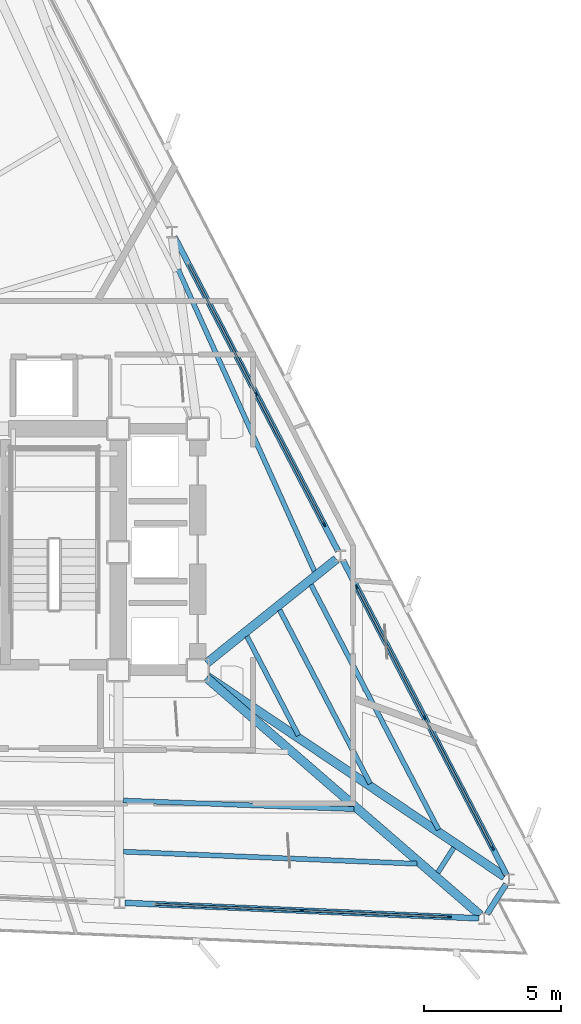
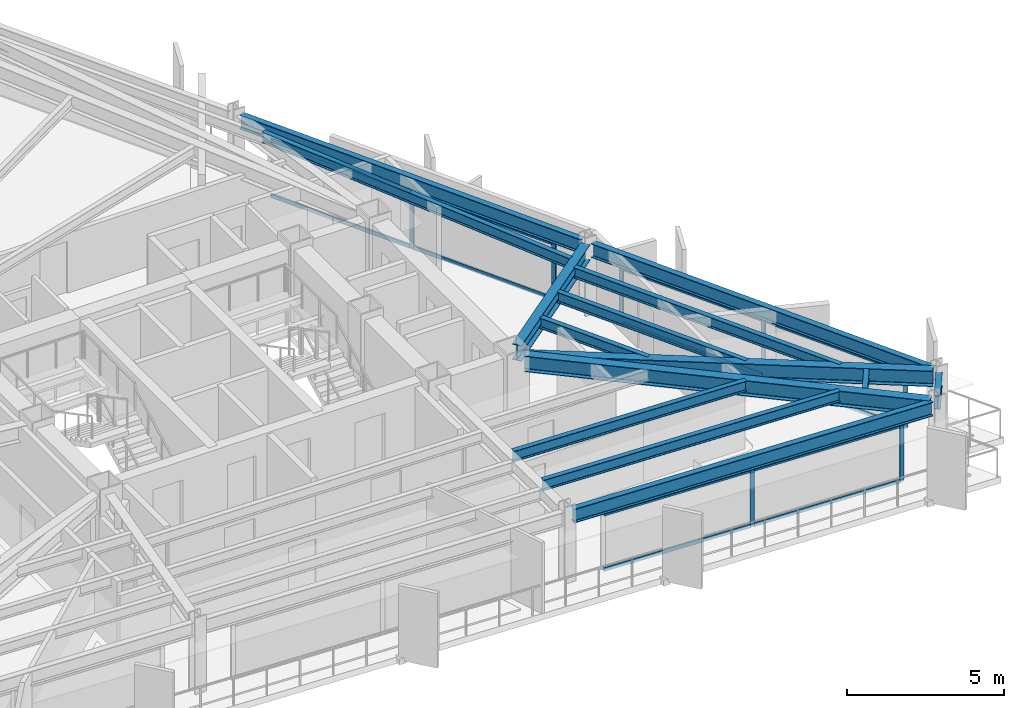
# One storey, part 5 of 12: 19 members, 14 beams, 3 elements without a shape of their own.
"""IFC4 building model written with IfcOpenShell, lengths in metres."""

import ifcopenshell
import ifcopenshell.guid

model = None  # the IFC model being written
_history = None  # IfcOwnerHistory: only IFC2X3 demands one
_inside = {}  # id of a spatial element -> (the spatial element, [elements in it])
_under = {}  # id of a project, library or spatial element -> (it, [spatial elements below it])
_declared = {}  # id of a project -> (the project, [libraries it declares])
_typed = {}  # id of a type object -> (the type object, [elements of that type])
_made_of = {}  # id of a material, layer set ... -> (it, [elements and type objects made of it])


def new_model(schema):
    """Start an empty IFC model of exactly this schema.

    Asked for "IFC4X3", IfcOpenShell would pick the latest addendum, in which some entities
    have other attributes; the version numbers below select the first issue.
    IFC2X3 requires an IfcOwnerHistory on every rooted entity: one is made here for all.
    """
    global model, _history
    if schema == "IFC4X3":
        model = ifcopenshell.file(schema_version=(4, 3, 0, 0))
    else:
        model = ifcopenshell.file(schema=schema)
    _inside.clear()
    _under.clear()
    _declared.clear()
    _typed.clear()
    _made_of.clear()
    _history = None
    if model.schema == "IFC2X3":
        org = make("IfcOrganization", Name="unknown")
        user = make(
            "IfcPersonAndOrganization",
            ThePerson=make("IfcPerson", FamilyName="unknown"),
            TheOrganization=org,
        )
        app = make(
            "IfcApplication",
            ApplicationDeveloper=org,
            Version="unknown",
            ApplicationFullName="unknown",
            ApplicationIdentifier="unknown",
        )
        _history = make(
            "IfcOwnerHistory",
            OwningUser=user,
            OwningApplication=app,
            ChangeAction="ADDED",
            CreationDate=0,
        )
    return model


def make(cls, **values):
    """One entity of the class cls with the attributes given. An attribute that is None is left unset."""
    return model.create_entity(
        cls, **{name: value for name, value in values.items() if value is not None}
    )


def rooted(cls, **values):
    """An entity with a GlobalId (a new one), such as an element, a storey or a relation."""
    return make(cls, GlobalId=ifcopenshell.guid.new(), OwnerHistory=_history, **values)


def si_unit(unit_type, name, prefix=None):
    """IfcSIUnit, for example si_unit("LENGTHUNIT", "METRE", prefix="MILLI")."""
    return make("IfcSIUnit", UnitType=unit_type, Prefix=prefix, Name=name)


def assignment(units):
    """IfcUnitAssignment: the units of a project."""
    return None if units is None else make("IfcUnitAssignment", Units=units)


def point(xyz):
    """IfcCartesianPoint."""
    return None if xyz is None else make("IfcCartesianPoint", Coordinates=xyz)


def direction(xyz):
    """IfcDirection."""
    return None if xyz is None else make("IfcDirection", DirectionRatios=xyz)


def frame(location, z_axis=None, x_axis=None):
    """IfcAxis2Placement3D, a coordinate frame: its origin and axes. An axis left out is left unset."""
    return make(
        "IfcAxis2Placement3D",
        Location=point(location),
        Axis=direction(z_axis),
        RefDirection=direction(x_axis),
    )


def frame_2d(location, x_axis=None):
    """IfcAxis2Placement2D, a coordinate frame in the plane: its origin and x axis."""
    return make(
        "IfcAxis2Placement2D", Location=point(location), RefDirection=direction(x_axis)
    )


def origin():
    """The frame at (0, 0, 0) with its axes left unset."""
    return frame((0.0, 0.0, 0.0))


def origin_2d():
    """The frame at (0, 0) in the plane with its x axis left unset."""
    return frame_2d((0.0, 0.0))


def place(relative_to, where):
    """IfcLocalPlacement: puts the frame where relative to a parent placement (None: the world)."""
    return make(
        "IfcLocalPlacement", PlacementRelTo=relative_to, RelativePlacement=where
    )


def context(
    kind, dimensions, precision=None, world=None, true_north=None, identifier=None
):
    """IfcGeometricRepresentationContext, for example the 3D "Model" context."""
    return make(
        "IfcGeometricRepresentationContext",
        ContextIdentifier=identifier,
        ContextType=kind,
        CoordinateSpaceDimension=dimensions,
        Precision=precision,
        WorldCoordinateSystem=world,
        TrueNorth=true_north,
    )


def subcontext(parent, identifier, kind, view, scale=None):
    """IfcGeometricRepresentationSubContext, for example "Body" below "Model"."""
    return make(
        "IfcGeometricRepresentationSubContext",
        ContextIdentifier=identifier,
        ContextType=kind,
        ParentContext=parent,
        TargetScale=scale,
        TargetView=view,
    )


def project(units=None, contexts=None):
    """IfcProject with its units and contexts."""
    return rooted(
        "IfcProject",
        Name="project",
        RepresentationContexts=contexts,
        UnitsInContext=assignment(units),
    )


def spatial(cls, under=None, at=None, **own):
    """A site, building, storey or space (cls), placed at a placement, below another one or the project."""
    s = rooted(cls, ObjectPlacement=at, **own)
    if under is not None:
        _under.setdefault(under.id(), (under, []))[1].append(s)
    return s


def profile(cls, at=None, kind="AREA", **sizes):
    """A parametric profile (cls). Its sizes go by their IFC names, for example OverallWidth=200.0."""
    return make(cls, ProfileType=kind, Position=at, **sizes)


def rectangle(**sizes):
    """IfcRectangleProfileDef."""
    return profile("IfcRectangleProfileDef", **sizes)


def i_section(**sizes):
    """IfcIShapeProfileDef."""
    return profile("IfcIShapeProfileDef", **sizes)


def extrude(swept, where, along, depth):
    """IfcExtrudedAreaSolid: the profile swept, set in the frame where, extruded along a direction by depth."""
    return make(
        "IfcExtrudedAreaSolid",
        SweptArea=swept,
        Position=where,
        ExtrudedDirection=direction(along),
        Depth=depth,
    )


def shape(context_of_items, identifier, shape_type, items):
    """IfcShapeRepresentation: the items that make up one representation, for example the "Body"."""
    return make(
        "IfcShapeRepresentation",
        ContextOfItems=context_of_items,
        RepresentationIdentifier=identifier,
        RepresentationType=shape_type,
        Items=items,
    )


def material(Name=None, Category=None):
    """IfcMaterial."""
    return make("IfcMaterial", Name=Name, Category=Category)


def layer(
    of_material, thickness, ventilated=None, Name=None, Category=None, Priority=None
):
    """IfcMaterialLayer: one layer of a wall or slab, of a material (None: an air gap)."""
    return make(
        "IfcMaterialLayer",
        Material=of_material,
        LayerThickness=thickness,
        IsVentilated=ventilated,
        Name=Name,
        Category=Category,
        Priority=Priority,
    )


def layer_set(layers, Name=None):
    """IfcMaterialLayerSet."""
    return make("IfcMaterialLayerSet", MaterialLayers=layers, LayerSetName=Name)


def material_profile(
    of_material, cross_section, Name=None, Category=None, Priority=None
):
    """IfcMaterialProfile: a cross section and its material."""
    return make(
        "IfcMaterialProfile",
        Name=Name,
        Material=of_material,
        Profile=cross_section,
        Priority=Priority,
        Category=Category,
    )


def profile_set(profiles, Name=None, composite=None):
    """IfcMaterialProfileSet."""
    return make(
        "IfcMaterialProfileSet",
        Name=Name,
        MaterialProfiles=profiles,
        CompositeProfile=composite,
    )


def made_of(thing, what):
    """Note that an element or type object is made of a material, layer set ...; save() writes the relation."""
    if what is not None:
        _made_of.setdefault(what.id(), (what, []))[1].append(thing)
    return thing


def type_object(cls, material=None, **own):
    """A type object (cls), such as IfcWallType, which elements share."""
    return made_of(rooted(cls, **own), material)


def element(
    cls,
    number,
    at=None,
    inside=None,
    cuts=None,
    type_object=None,
    material=None,
    context=None,
    identifier="Body",
    shape_type=None,
    held_by="IfcProductDefinitionShape",
    body=None,
    shapes=None,
    **own,
):
    """One element of the class cls, such as IfcWall. Its Tag is "e" and its number.

    at: its placement. inside: the storey or other place that contains it. cuts: it is an
    opening in that element (IfcRelVoidsElement). A single representation is given by context,
    identifier, shape_type and body (its items); several are given by shapes. held_by: the class
    of the entity that holds the representations. save() writes the other relations.
    """
    e = rooted(cls, Tag="e%d" % number, ObjectPlacement=at, **own)
    if body is not None:
        shapes = [shape(context, identifier, shape_type, body)]
    if shapes is not None:
        e.Representation = make(held_by, Representations=shapes)
    if inside is not None:
        _inside.setdefault(inside.id(), (inside, []))[1].append(e)
    if cuts is not None:
        rooted(
            "IfcRelVoidsElement", RelatingBuildingElement=cuts, RelatedOpeningElement=e
        )
    if type_object is not None:
        _typed.setdefault(type_object.id(), (type_object, []))[1].append(e)
    return made_of(e, material)


def aggregate(whole, parts):
    """IfcRelAggregates: a whole, such as a stair, and the parts it consists of."""
    return rooted("IfcRelAggregates", RelatingObject=whole, RelatedObjects=parts)


def save(model, path):
    """Write the relations noted so far, then the file.

    IfcRelAggregates (storeys below a building ...), IfcRelContainedInSpatialStructure (elements
    in a storey), IfcRelDefinesByType, IfcRelAssociatesMaterial and IfcRelDeclares: one each for
    every whole, place, type object, material and project.
    """
    for whole, parts in _under.values():
        aggregate(whole, parts)
    for where, things in _inside.values():
        rooted(
            "IfcRelContainedInSpatialStructure",
            RelatedElements=things,
            RelatingStructure=where,
        )
    for kind, things in _typed.values():
        rooted("IfcRelDefinesByType", RelatedObjects=things, RelatingType=kind)
    for what, things in _made_of.values():
        rooted("IfcRelAssociatesMaterial", RelatedObjects=things, RelatingMaterial=what)
    for by, libraries in _declared.values():
        rooted("IfcRelDeclares", RelatingContext=by, RelatedDefinitions=libraries)
    model.write(path)


model = new_model("IFC4")

# Units and contexts
model_context = context("Model", 3, precision=1e-05, world=origin(), true_north=direction((0.0, 1.0)))
body_context = subcontext(model_context, "Body", "Model", "MODEL_VIEW")
ifc_project = project(units=[si_unit("LENGTHUNIT", "METRE"), si_unit("AREAUNIT", "SQUARE_METRE"), si_unit("VOLUMEUNIT", "CUBIC_METRE"), si_unit("PLANEANGLEUNIT", "RADIAN"), si_unit("MASSUNIT", "GRAM", prefix="KILO")], contexts=[model_context])

# Site, building, storey
site_placement = place(None, origin())
site = spatial("IfcSite", under=ifc_project, at=site_placement, CompositionType="ELEMENT")
building_placement = place(site_placement, origin())
building = spatial("IfcBuilding", under=site, at=building_placement, Name="Rocaltana Carrier Exchange", CompositionType="ELEMENT")
storey_placement = place(building_placement, frame((0.0, 0.0, 135.0400390625)))
storey = spatial("IfcBuildingStorey", under=building, at=storey_placement, Name="L42", CompositionType="ELEMENT", Elevation=135.0400390625)

# Curtain wall, members
ifc_material_1 = material(Name="Aluminium 6063-T6", Category="aluminium")
ifc_layer = layer(ifc_material_1, 0.14990234375)
ifc_layer_set = layer_set([ifc_layer], Name="Aluminium 6063-T6")
curtain_wall_type = type_object("IfcCurtainWallType", Name="Mid-Tower Unitised Curtain Wall CW-03", PredefinedType="NOTDEFINED", material=ifc_layer_set)
curtain_wall_1_placement = place(storey_placement, origin())
curtain_wall_1 = element("IfcCurtainWall", 1, at=curtain_wall_1_placement, inside=storey, type_object=curtain_wall_type, Name="L42 CW-03 Run CW-L42-F1S1", PredefinedType="NOTDEFINED")
ifc_material_2 = material(Name="Aluminium 6063-T6", Category="aluminium")
ifc_material_profile_1 = material_profile(ifc_material_2, rectangle(XDim=0.06005859375, YDim=0.14990234375, at=origin_2d()), Name="AL-60X150")
ifc_profile_set_1 = profile_set([ifc_material_profile_1], Name="Aluminium 6063-T6")
member_type_1 = type_object("IfcMemberType", Name="CW-03 Mullion AL-60X150", PredefinedType="MULLION", material=ifc_profile_set_1)
member_1_placement = place(storey_placement, frame((19.700439453125, -10.792724609375, 0.0), z_axis=(0.0, 0.0, 1.0), x_axis=(-0.887009929614, -0.461750348962, 0.0)))
member_1 = element("IfcMember", 2, at=member_1_placement, type_object=member_type_1, Name="CW-03 mullion 1", PredefinedType="MULLION", context=body_context, shape_type="SweptSolid", body=[
    extrude(rectangle(XDim=0.06005859375, YDim=0.14990234375, at=origin_2d()), origin(), (0.0, 0.0, 1.0), 2.218017578125),
])
member_2_placement = place(storey_placement, frame((17.220947265625, -6.029541015625, 0.0), z_axis=(0.0, 0.0, 1.0), x_axis=(-0.887009929614, -0.461750348962, 0.0)))
member_2 = element("IfcMember", 3, at=member_2_placement, type_object=member_type_1, Name="CW-03 mullion 2", PredefinedType="MULLION", context=body_context, shape_type="SweptSolid", body=[
    extrude(rectangle(XDim=0.06005859375, YDim=0.14990234375, at=origin_2d()), origin(), (0.0, 0.0, 1.0), 2.218017578125),
])
member_3_placement = place(storey_placement, frame((14.7412109375, -1.266357421875, 0.0), z_axis=(0.0, 0.0, 1.0), x_axis=(-0.887009929614, -0.461750348962, 0.0)))
member_3 = element("IfcMember", 4, at=member_3_placement, type_object=member_type_1, Name="CW-03 mullion 3", PredefinedType="MULLION", context=body_context, shape_type="SweptSolid", body=[
    extrude(rectangle(XDim=0.06005859375, YDim=0.14990234375, at=origin_2d()), origin(), (0.0, 0.0, 1.0), 2.218017578125),
])

curtain_wall_2_placement = place(storey_placement, origin())
curtain_wall_2 = element("IfcCurtainWall", 5, at=curtain_wall_2_placement, inside=storey, type_object=curtain_wall_type, Name="L42 CW-03 Run CW-L42-F1S2", PredefinedType="NOTDEFINED")
member_4_placement = place(storey_placement, frame((13.55908203125, 1.00439453125, 0.0), z_axis=(0.0, 0.0, 1.0), x_axis=(-0.887011747812, -0.461746856235, 0.0)))
member_4 = element("IfcMember", 6, at=member_4_placement, type_object=member_type_1, Name="CW-03 mullion 1", PredefinedType="MULLION", context=body_context, shape_type="SweptSolid", body=[
    extrude(rectangle(XDim=0.06005859375, YDim=0.14990234375, at=origin_2d()), origin(), (0.0, 0.0, 1.0), 2.218017578125),
])
member_5_placement = place(storey_placement, frame((11.07958984375, 5.767578125, 0.0), z_axis=(0.0, 0.0, 1.0), x_axis=(-0.887011747812, -0.461746856235, 0.0)))
member_5 = element("IfcMember", 7, at=member_5_placement, type_object=member_type_1, Name="CW-03 mullion 2", PredefinedType="MULLION", context=body_context, shape_type="SweptSolid", body=[
    extrude(rectangle(XDim=0.06005859375, YDim=0.14990234375, at=origin_2d()), origin(), (0.0, 0.0, 1.0), 2.218017578125),
])

curtain_wall_3_placement = place(storey_placement, origin())
curtain_wall_3 = element("IfcCurtainWall", 8, at=curtain_wall_3_placement, inside=storey, type_object=curtain_wall_type, Name="L42 CW-03 Run CW-L42-F3S3", PredefinedType="NOTDEFINED")
member_6_placement = place(storey_placement, frame((12.742431640625, -13.05908203125, 0.0), z_axis=(0.0, 0.0, 1.0), x_axis=(0.043629290456, 0.999047789154, 0.0)))
member_6 = element("IfcMember", 9, at=member_6_placement, type_object=member_type_1, Name="CW-03 mullion 2", PredefinedType="MULLION", context=body_context, shape_type="SweptSolid", body=[
    extrude(rectangle(XDim=0.06005859375, YDim=0.14990234375, at=origin_2d()), origin(), (0.0, 0.0, 1.0), 2.218017578125),
])
member_7_placement = place(storey_placement, frame((18.107421875, -13.29345703125, 0.0), z_axis=(0.0, 0.0, 1.0), x_axis=(0.043629290456, 0.999047789154, 0.0)))
member_7 = element("IfcMember", 10, at=member_7_placement, type_object=member_type_1, Name="CW-03 mullion 3", PredefinedType="MULLION", context=body_context, shape_type="SweptSolid", body=[
    extrude(rectangle(XDim=0.06005859375, YDim=0.14990234375, at=origin_2d()), origin(), (0.0, 0.0, 1.0), 2.218017578125),
])

# Member
ifc_material_3 = material(Name="Aluminium 6063-T6", Category="aluminium")
ifc_material_profile_2 = material_profile(ifc_material_3, rectangle(XDim=0.06005859375, YDim=0.14990234375, at=origin_2d()), Name="AL-60X150")
ifc_profile_set_2 = profile_set([ifc_material_profile_2], Name="Aluminium 6063-T6")
member_type_2 = type_object("IfcMemberType", Name="CW-03 Transom AL-60X150", PredefinedType="USERDEFINED", material=ifc_profile_set_2)
member_8_placement = place(storey_placement, frame((19.6865234375, -10.76611328125, 0.030029296875), z_axis=(-0.461756588365, 0.887006681543, 0.0), x_axis=(-0.887006681543, -0.461756588365, 0.0)))
member_8 = element("IfcMember", 11, at=member_8_placement, type_object=member_type_2, Name="CW-03 transom 1.1", ObjectType="TRANSOM", PredefinedType="USERDEFINED", context=body_context, shape_type="SweptSolid", body=[
    extrude(rectangle(XDim=0.06005859375, YDim=0.14990234375, at=origin_2d()), origin(), (0.0, 0.0, 1.0), 5.31005859375),
])

member_9_placement = place(storey_placement, frame((19.6865234375, -10.76611328125, 2.18798828125), z_axis=(-0.461756588365, 0.887006681543, 0.0), x_axis=(-0.887006681543, -0.461756588365, 0.0)))
member_9 = element("IfcMember", 12, at=member_9_placement, type_object=member_type_2, Name="CW-03 transom 1.2", ObjectType="TRANSOM", PredefinedType="USERDEFINED", context=body_context, shape_type="SweptSolid", body=[
    extrude(rectangle(XDim=0.06005859375, YDim=0.14990234375, at=origin_2d()), origin(), (0.0, 0.0, 1.0), 5.31005859375),
])

member_10_placement = place(storey_placement, frame((17.20703125, -6.0029296875, 0.030029296875), z_axis=(-0.461756588365, 0.887006681543, 0.0), x_axis=(-0.887006681543, -0.461756588365, 0.0)))
member_10 = element("IfcMember", 13, at=member_10_placement, type_object=member_type_2, Name="CW-03 transom 2.1", ObjectType="TRANSOM", PredefinedType="USERDEFINED", context=body_context, shape_type="SweptSolid", body=[
    extrude(rectangle(XDim=0.06005859375, YDim=0.14990234375, at=origin_2d()), origin(), (0.0, 0.0, 1.0), 5.31005859375),
])

member_11_placement = place(storey_placement, frame((17.20703125, -6.0029296875, 2.18798828125), z_axis=(-0.461756588365, 0.887006681543, 0.0), x_axis=(-0.887006681543, -0.461756588365, 0.0)))
member_11 = element("IfcMember", 14, at=member_11_placement, type_object=member_type_2, Name="CW-03 transom 2.2", ObjectType="TRANSOM", PredefinedType="USERDEFINED", context=body_context, shape_type="SweptSolid", body=[
    extrude(rectangle(XDim=0.06005859375, YDim=0.14990234375, at=origin_2d()), origin(), (0.0, 0.0, 1.0), 5.31005859375),
])

aggregate(curtain_wall_1, [member_1, member_2, member_3, member_8, member_9, member_10, member_11])

member_12_placement = place(storey_placement, frame((13.54541015625, 1.031005859375, 0.030029296875), z_axis=(-0.461737757324, 0.887016484323, 0.0), x_axis=(-0.887016484323, -0.461737757324, 0.0)))
member_12 = element("IfcMember", 15, at=member_12_placement, type_object=member_type_2, Name="CW-03 transom 1.1", ObjectType="TRANSOM", PredefinedType="USERDEFINED", context=body_context, shape_type="SweptSolid", body=[
    extrude(rectangle(XDim=0.06005859375, YDim=0.14990234375, at=origin_2d()), origin(), (0.0, 0.0, 1.0), 5.31005859375),
])

member_13_placement = place(storey_placement, frame((13.54541015625, 1.031005859375, 2.18798828125), z_axis=(-0.461737757324, 0.887016484323, 0.0), x_axis=(-0.887016484323, -0.461737757324, 0.0)))
member_13 = element("IfcMember", 16, at=member_13_placement, type_object=member_type_2, Name="CW-03 transom 1.2", ObjectType="TRANSOM", PredefinedType="USERDEFINED", context=body_context, shape_type="SweptSolid", body=[
    extrude(rectangle(XDim=0.06005859375, YDim=0.14990234375, at=origin_2d()), origin(), (0.0, 0.0, 1.0), 5.31005859375),
])

member_14_placement = place(storey_placement, frame((11.065673828125, 5.794189453125, 0.030029296875), z_axis=(-0.461701582275, 0.887035314362, 0.0), x_axis=(-0.887035314362, -0.461701582275, 0.0)))
member_14 = element("IfcMember", 17, at=member_14_placement, type_object=member_type_2, Name="CW-03 transom 2.1", ObjectType="TRANSOM", PredefinedType="USERDEFINED", context=body_context, shape_type="SweptSolid", body=[
    extrude(rectangle(XDim=0.06005859375, YDim=0.14990234375, at=origin_2d()), origin(), (0.0, 0.0, 1.0), 5.31005859375),
])

member_15_placement = place(storey_placement, frame((11.065673828125, 5.794189453125, 2.18798828125), z_axis=(-0.461701582275, 0.887035314362, 0.0), x_axis=(-0.887035314362, -0.461701582275, 0.0)))
member_15 = element("IfcMember", 18, at=member_15_placement, type_object=member_type_2, Name="CW-03 transom 2.2", ObjectType="TRANSOM", PredefinedType="USERDEFINED", context=body_context, shape_type="SweptSolid", body=[
    extrude(rectangle(XDim=0.06005859375, YDim=0.14990234375, at=origin_2d()), origin(), (0.0, 0.0, 1.0), 5.31005859375),
])

aggregate(curtain_wall_2, [member_4, member_5, member_12, member_13, member_14, member_15])

member_16_placement = place(storey_placement, frame((7.407470703125, -12.826171875, 0.030029296875), z_axis=(0.999047725225, -0.043630754314, 0.0), x_axis=(0.043630754314, 0.999047725225, 0.0)))
member_16 = element("IfcMember", 19, at=member_16_placement, type_object=member_type_2, Name="CW-03 transom 1.1", ObjectType="TRANSOM", PredefinedType="USERDEFINED", context=body_context, shape_type="SweptSolid", body=[
    extrude(rectangle(XDim=0.06005859375, YDim=0.14990234375, at=origin_2d()), origin(), (0.0, 0.0, 1.0), 5.310302734375),
])

member_17_placement = place(storey_placement, frame((7.407470703125, -12.826171875, 2.18798828125), z_axis=(0.999047725225, -0.043630754314, 0.0), x_axis=(0.043630754314, 0.999047725225, 0.0)))
member_17 = element("IfcMember", 20, at=member_17_placement, type_object=member_type_2, Name="CW-03 transom 1.2", ObjectType="TRANSOM", PredefinedType="USERDEFINED", context=body_context, shape_type="SweptSolid", body=[
    extrude(rectangle(XDim=0.06005859375, YDim=0.14990234375, at=origin_2d()), origin(), (0.0, 0.0, 1.0), 5.310302734375),
])

member_18_placement = place(storey_placement, frame((12.7724609375, -13.060546875, 0.030029296875), z_axis=(0.999047637698, -0.043632758442, 0.0), x_axis=(0.043632758442, 0.999047637698, 0.0)))
member_18 = element("IfcMember", 21, at=member_18_placement, type_object=member_type_2, Name="CW-03 transom 2.1", ObjectType="TRANSOM", PredefinedType="USERDEFINED", context=body_context, shape_type="SweptSolid", body=[
    extrude(rectangle(XDim=0.06005859375, YDim=0.14990234375, at=origin_2d()), origin(), (0.0, 0.0, 1.0), 5.31005859375),
])

member_19_placement = place(storey_placement, frame((12.7724609375, -13.060546875, 2.18798828125), z_axis=(0.999047637698, -0.043632758442, 0.0), x_axis=(0.043632758442, 0.999047637698, 0.0)))
member_19 = element("IfcMember", 22, at=member_19_placement, type_object=member_type_2, Name="CW-03 transom 2.2", ObjectType="TRANSOM", PredefinedType="USERDEFINED", context=body_context, shape_type="SweptSolid", body=[
    extrude(rectangle(XDim=0.06005859375, YDim=0.14990234375, at=origin_2d()), origin(), (0.0, 0.0, 1.0), 5.31005859375),
])

aggregate(curtain_wall_3, [member_6, member_7, member_16, member_17, member_18, member_19])

# Beams
ifc_material_4 = material(Name="Steel S355", Category="steel")
ifc_material_profile_3 = material_profile(ifc_material_4, i_section(OverallWidth=0.179931640625, OverallDepth=0.4130859375, WebThickness=0.009765625, FlangeThickness=0.01611328125, FilletRadius=0.012939453125, at=origin_2d()), Name="W16X50")
ifc_profile_set_3 = profile_set([ifc_material_profile_3], Name="Steel S355")
beam_type_1 = type_object("IfcBeamType", Name="Floor Joist W16X50", PredefinedType="JOIST", material=ifc_profile_set_3)
beam_1_placement = place(storey_placement, frame((12.62060546875, -6.678955078125, 2.58154296875), z_axis=(-0.461741088253, 0.887014750395, 0.0), x_axis=(-0.887014750395, -0.461741088253, 0.0)))
element("IfcBeam", 23, at=beam_1_placement, inside=storey, type_object=beam_type_1, Name="FJ-L42-01-1", PredefinedType="JOIST", context=body_context, shape_type="SweptSolid", body=[
    extrude(i_section(OverallWidth=0.179931640625, OverallDepth=0.4130859375, WebThickness=0.009765625, FlangeThickness=0.01611328125, FilletRadius=0.012939453125, at=origin_2d()), origin(), (0.0, 0.0, 1.0), 4.0771484375),
])
beam_2_placement = place(storey_placement, frame((15.229248046875, -8.433349609375, 2.58154296875), z_axis=(-0.461769572887, 0.886999921959, 0.0), x_axis=(-0.886999921959, -0.461769572887, 0.0)))
element("IfcBeam", 24, at=beam_2_placement, inside=storey, type_object=beam_type_1, Name="FJ-L42-01-2", PredefinedType="JOIST", context=body_context, shape_type="SweptSolid", body=[
    extrude(i_section(OverallWidth=0.179931640625, OverallDepth=0.4130859375, WebThickness=0.009765625, FlangeThickness=0.01611328125, FilletRadius=0.012939453125, at=origin_2d()), origin(), (0.0, 0.0, 1.0), 7.135986328125),
])
beam_3_placement = place(storey_placement, frame((17.724365234375, -10.111572265625, 2.58154296875), z_axis=(-0.461760646449, 0.88700456898, 0.0), x_axis=(-0.88700456898, -0.461760646449, 0.0)))
element("IfcBeam", 25, at=beam_3_placement, inside=storey, type_object=beam_type_1, Name="FJ-L42-01-3", PredefinedType="JOIST", context=body_context, shape_type="SweptSolid", body=[
    extrude(i_section(OverallWidth=0.179931640625, OverallDepth=0.4130859375, WebThickness=0.009765625, FlangeThickness=0.01611328125, FilletRadius=0.012939453125, at=origin_2d()), origin(), (0.0, 0.0, 1.0), 10.06201171875),
])
beam_4_placement = place(storey_placement, frame((13.201904296875, -0.697509765625, 2.58154296875), z_axis=(-0.41154987929, 0.911387237598, 0.0), x_axis=(-0.911387237598, -0.41154987929, 0.0)))
element("IfcBeam", 26, at=beam_4_placement, inside=storey, type_object=beam_type_1, Name="FJ-L42-02-3", PredefinedType="JOIST", context=body_context, shape_type="SweptSolid", body=[
    extrude(i_section(OverallWidth=0.179931640625, OverallDepth=0.4130859375, WebThickness=0.009765625, FlangeThickness=0.01611328125, FilletRadius=0.012939453125, at=origin_2d()), origin(), (0.0, 0.0, 1.0), 12.0732421875),
])
beam_5_placement = place(storey_placement, frame((6.233154296875, -9.048583984375, 2.58154296875), z_axis=(0.999306338381, -0.037240328574, 0.0), x_axis=(0.037240328574, 0.999306338381, 0.0)))
element("IfcBeam", 27, at=beam_5_placement, inside=storey, type_object=beam_type_1, Name="FJ-L42-11-2", PredefinedType="JOIST", context=body_context, shape_type="SweptSolid", body=[
    extrude(i_section(OverallWidth=0.179931640625, OverallDepth=0.4130859375, WebThickness=0.009765625, FlangeThickness=0.01611328125, FilletRadius=0.012939453125, at=origin_2d()), origin(), (0.0, 0.0, 1.0), 8.4111328125),
])
beam_6_placement = place(storey_placement, frame((6.243896484375, -10.912353515625, 2.58154296875), z_axis=(0.999155233616, -0.041095244719, 0.0), x_axis=(0.041095244719, 0.999155233616, 0.0)))
element("IfcBeam", 28, at=beam_6_placement, inside=storey, type_object=beam_type_1, Name="FJ-L42-11-3", PredefinedType="JOIST", context=body_context, shape_type="SweptSolid", body=[
    extrude(i_section(OverallWidth=0.179931640625, OverallDepth=0.4130859375, WebThickness=0.009765625, FlangeThickness=0.01611328125, FilletRadius=0.012939453125, at=origin_2d()), origin(), (0.0, 0.0, 1.0), 10.699462890625),
])
beam_7_placement = place(storey_placement, frame((17.69580078125, -11.67919921875, 2.58154296875), z_axis=(0.537311646576, 0.843383776495, 0.0), x_axis=(-0.843383776495, 0.537311646576, 0.0)))
element("IfcBeam", 29, at=beam_7_placement, inside=storey, type_object=beam_type_1, Name="FJ-L42-12-3", PredefinedType="JOIST", context=body_context, shape_type="SweptSolid", body=[
    extrude(i_section(OverallWidth=0.179931640625, OverallDepth=0.4130859375, WebThickness=0.009765625, FlangeThickness=0.01611328125, FilletRadius=0.012939453125, at=origin_2d()), origin(), (0.0, 0.0, 1.0), 1.08642578125),
])
ifc_material_5 = material(Name="Steel S355", Category="steel")
ifc_material_profile_4 = material_profile(ifc_material_5, i_section(OverallWidth=0.323974609375, OverallDepth=0.611083984375, WebThickness=0.0126953125, FlangeThickness=0.01904296875, FilletRadius=0.01611328125, at=origin_2d()), Name="W24X104")
ifc_profile_set_4 = profile_set([ifc_material_profile_4], Name="Steel S355")
beam_type_2 = type_object("IfcBeamType", Name="Radial Girder W24X104", PredefinedType="BEAM", material=ifc_profile_set_4)
beam_8_placement = place(storey_placement, frame((9.2958984375, -4.53271484375, 2.482421875), z_axis=(0.829776429239, -0.558095939314, 0.0), x_axis=(0.558095939314, 0.829776429239, 0.0)))
element("IfcBeam", 30, at=beam_8_placement, inside=storey, type_object=beam_type_2, Name="RG-L42-01", PredefinedType="BEAM", context=body_context, shape_type="SweptSolid", body=[
    extrude(i_section(OverallWidth=0.323974609375, OverallDepth=0.611083984375, WebThickness=0.0126953125, FlangeThickness=0.01904296875, FilletRadius=0.01611328125, at=origin_2d()), origin(), (0.0, 0.0, 1.0), 13.05615234375),
])
beam_9_placement = place(storey_placement, frame((9.275390625, -4.039306640625, 2.482421875), z_axis=(0.780203362819, 0.625525948819, 0.0), x_axis=(-0.625525948819, 0.780203362819, 0.0)))
element("IfcBeam", 31, at=beam_9_placement, inside=storey, type_object=beam_type_2, Name="RG-L42-02", PredefinedType="BEAM", context=body_context, shape_type="SweptSolid", body=[
    extrude(i_section(OverallWidth=0.323974609375, OverallDepth=0.611083984375, WebThickness=0.0126953125, FlangeThickness=0.01904296875, FilletRadius=0.01611328125, at=origin_2d()), origin(), (0.0, 0.0, 1.0), 6.05322265625),
])
beam_10_placement = place(storey_placement, frame((9.26513671875, -4.5732421875, 2.482421875), z_axis=(0.755523694859, -0.655121321976, 0.0), x_axis=(0.655121321976, 0.755523694859, 0.0)))
element("IfcBeam", 32, at=beam_10_placement, inside=storey, type_object=beam_type_2, Name="RG-L42-12", PredefinedType="BEAM", context=body_context, shape_type="SweptSolid", body=[
    extrude(i_section(OverallWidth=0.323974609375, OverallDepth=0.611083984375, WebThickness=0.0126953125, FlangeThickness=0.01904296875, FilletRadius=0.01611328125, at=origin_2d()), origin(), (0.0, 0.0, 1.0), 13.201171875),
])
ifc_material_6 = material(Name="Steel S355", Category="steel")
ifc_material_profile_5 = material_profile(ifc_material_6, i_section(OverallWidth=0.2119140625, OverallDepth=0.5439453125, WebThickness=0.01318359375, FlangeThickness=0.021240234375, FilletRadius=0.014892578125, at=origin_2d()), Name="W21X83")
ifc_profile_set_5 = profile_set([ifc_material_profile_5], Name="Steel S355")
beam_type_3 = type_object("IfcBeamType", Name="Spandrel Edge Beam W21X83", PredefinedType="SPANDREL", material=ifc_profile_set_5)
beam_11_placement = place(storey_placement, frame((20.201416015625, -11.755126953125, 2.515869140625), z_axis=(-0.461753420073, 0.88700833088, 0.0), x_axis=(-0.88700833088, -0.461753420073, 0.0)))
element("IfcBeam", 33, at=beam_11_placement, inside=storey, type_object=beam_type_3, Name="SP-L42-01", PredefinedType="SPANDREL", context=body_context, shape_type="SweptSolid", body=[
    extrude(i_section(OverallWidth=0.2119140625, OverallDepth=0.5439453125, WebThickness=0.01318359375, FlangeThickness=0.021240234375, FilletRadius=0.014892578125, at=origin_2d()), origin(), (0.0, 0.0, 1.0), 12.909912109375),
])
beam_12_placement = place(storey_placement, frame((14.060302734375, 0.0419921875, 2.515869140625), z_axis=(-0.461745674575, 0.887012362942, 0.0), x_axis=(-0.887012362942, -0.461745674575, 0.0)))
element("IfcBeam", 34, at=beam_12_placement, inside=storey, type_object=beam_type_3, Name="SP-L42-02", PredefinedType="SPANDREL", context=body_context, shape_type="SweptSolid", body=[
    extrude(i_section(OverallWidth=0.2119140625, OverallDepth=0.5439453125, WebThickness=0.01318359375, FlangeThickness=0.021240234375, FilletRadius=0.014892578125, at=origin_2d()), origin(), (0.0, 0.0, 1.0), 12.91015625),
])
beam_13_placement = place(storey_placement, frame((6.293701171875, -12.777587890625, 2.515869140625), z_axis=(0.999047862202, -0.04362761775, 0.0), x_axis=(0.04362761775, 0.999047862202, 0.0)))
element("IfcBeam", 35, at=beam_13_placement, inside=storey, type_object=beam_type_3, Name="SP-L42-11", PredefinedType="SPANDREL", context=body_context, shape_type="SweptSolid", body=[
    extrude(i_section(OverallWidth=0.2119140625, OverallDepth=0.5439453125, WebThickness=0.01318359375, FlangeThickness=0.021240234375, FilletRadius=0.014892578125, at=origin_2d()), origin(), (0.0, 0.0, 1.0), 12.909912109375),
])
beam_14_placement = place(storey_placement, frame((19.490966796875, -13.184814453125, 2.515869140625), z_axis=(0.537351203855, 0.84335857363, 0.0), x_axis=(-0.84335857363, 0.537351203855, 0.0)))
element("IfcBeam", 36, at=beam_14_placement, inside=storey, type_object=beam_type_3, Name="SP-L42-12", PredefinedType="SPANDREL", context=body_context, shape_type="SweptSolid", body=[
    extrude(i_section(OverallWidth=0.2119140625, OverallDepth=0.5439453125, WebThickness=0.01318359375, FlangeThickness=0.021240234375, FilletRadius=0.014892578125, at=origin_2d()), origin(), (0.0, 0.0, 1.0), 1.294921875),
])

save(model, "model.ifc")
